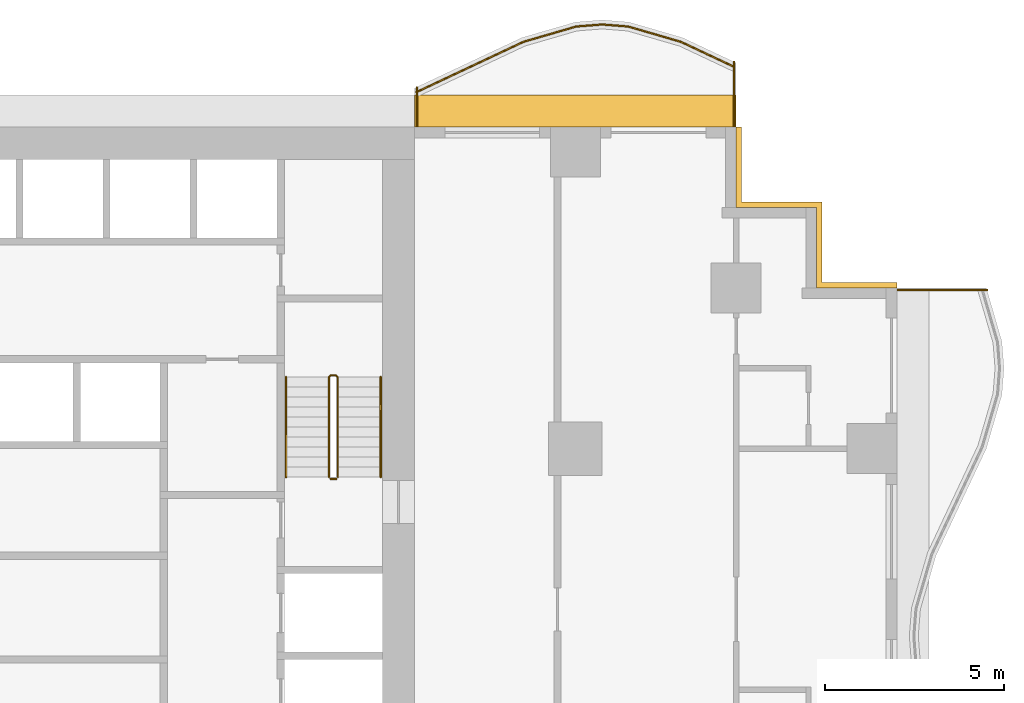
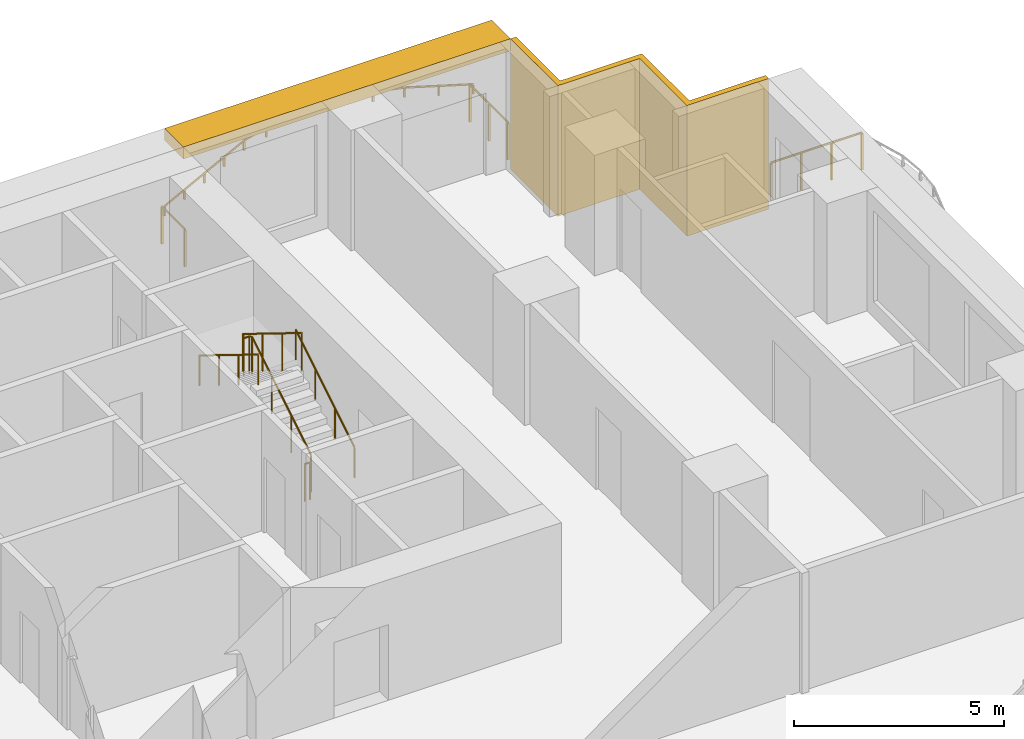
# One storey, part 14 of 14: 8 railings, 2 shading devices.
"""IFC4 building model written with IfcOpenShell, lengths in metres."""

from ifc_helpers import new_model, si_unit, direction, frame, origin, origin_2d, place, context, subcontext, project, spatial, polyline, rectangle, circle, outline, extrude, material, layer, layer_set, type_object, element, save


model = new_model("IFC4")

# Units and contexts
model_context = context("Model", 3, precision=1e-05, world=origin(), true_north=direction((0.0, 1.0)))
body_context = subcontext(model_context, "Body", "Model", "MODEL_VIEW")
ifc_project = project(units=[si_unit("LENGTHUNIT", "METRE"), si_unit("AREAUNIT", "SQUARE_METRE"), si_unit("VOLUMEUNIT", "CUBIC_METRE"), si_unit("PLANEANGLEUNIT", "RADIAN"), si_unit("MASSUNIT", "GRAM", prefix="KILO")], contexts=[model_context])

# Site, building, storey
site_placement = place(None, origin())
site = spatial("IfcSite", under=ifc_project, at=site_placement, CompositionType="ELEMENT")
building_placement = place(site_placement, origin())
building = spatial("IfcBuilding", under=site, at=building_placement, Name="Orbiselva Terraces", CompositionType="ELEMENT")
storey_placement = place(building_placement, frame((0.0, 0.0, 45.4)))
storey = spatial("IfcBuildingStorey", under=building, at=storey_placement, Name="L11", CompositionType="ELEMENT", Elevation=45.4)

# Railings
ifc_material_1 = material(Name="Stainless steel", Category="steel")
railing_type_1 = type_object("IfcRailingType", Name="CORE-GUARD-1100", PredefinedType="GUARDRAIL", material=ifc_material_1)
railing_1_placement = place(storey_placement, frame((11.35, 12.7, 0.172727)))
element("IfcRailing", 1, at=railing_1_placement, inside=storey, type_object=railing_type_1, Name="L11 S2 stair guard 1", PredefinedType="GUARDRAIL", context=body_context, shape_type="SweptSolid", body=[
    extrude(circle(Radius=0.024, at=origin_2d()), frame((0.0, 0.0, 1.081), z_axis=(0.0, 0.851088519012, 0.52502222125), x_axis=(-1.0, 0.0, 0.0)), (0.0, 0.0, 1.0), 3.289905),
    extrude(circle(Radius=0.024, at=origin_2d()), frame((0.0, 2.8, 2.808273), z_axis=(-0.707106781187, 0.707106781187, 0.0), x_axis=(-0.707106781187, -0.707106781187, 0.0)), (0.0, 0.0, 1.0), 0.070711),
    extrude(circle(Radius=0.024, at=origin_2d()), frame((-0.05, 2.85, 2.808273), z_axis=(-1.0, 0.0, 0.0), x_axis=(0.0, -1.0, 0.0)), (0.0, 0.0, 1.0), 0.15),
    extrude(circle(Radius=0.024, at=origin_2d()), frame((-0.2, 2.85, 2.808273), z_axis=(-0.267894925557, -0.267894925557, 0.925453736133), x_axis=(0.707106781187, -0.707106781187, 0.0)), (0.0, 0.0, 1.0), 0.18664),
    extrude(circle(Radius=0.024, at=origin_2d()), frame((-0.25, 2.8, 2.981), z_axis=(0.0, -0.851088519012, 0.52502222125), x_axis=(1.0, 0.0, 0.0)), (0.0, 0.0, 1.0), 3.289905),
    extrude(circle(Radius=0.021, at=origin_2d()), origin(), (0.0, 0.0, 1.0), 1.057),
    extrude(circle(Radius=0.021, at=origin_2d()), frame((0.0, 0.933333, 0.575758)), (0.0, 0.0, 1.0), 1.057),
    extrude(circle(Radius=0.021, at=origin_2d()), frame((0.0, 1.866667, 1.151515)), (0.0, 0.0, 1.0), 1.057),
    extrude(circle(Radius=0.021, at=origin_2d()), frame((0.0, 2.8, 1.727273)), (0.0, 0.0, 1.0), 1.057),
    extrude(circle(Radius=0.021, at=origin_2d()), frame((-0.05, 2.85, 1.727273)), (0.0, 0.0, 1.0), 1.057),
    extrude(circle(Radius=0.021, at=origin_2d()), frame((-0.2, 2.85, 1.727273)), (0.0, 0.0, 1.0), 1.057),
    extrude(circle(Radius=0.021, at=origin_2d()), frame((-0.25, 2.8, 1.9)), (0.0, 0.0, 1.0), 1.057),
    extrude(circle(Radius=0.021, at=origin_2d()), frame((-0.25, 1.866667, 2.475758)), (0.0, 0.0, 1.0), 1.057),
    extrude(circle(Radius=0.021, at=origin_2d()), frame((-0.25, 0.933333, 3.051515)), (0.0, 0.0, 1.0), 1.057),
    extrude(circle(Radius=0.021, at=origin_2d()), frame((-0.25, 0.0, 3.627273)), (0.0, 0.0, 1.0), 1.057),
])
railing_2_placement = place(storey_placement, frame((11.3, 12.65, 0.0)))
element("IfcRailing", 2, at=railing_2_placement, inside=storey, type_object=railing_type_1, Name="L11 S2 stair guard 2", PredefinedType="GUARDRAIL", context=body_context, shape_type="SweptSolid", body=[
    extrude(circle(Radius=0.024, at=origin_2d()), frame((0.0, 0.0, 1.081), z_axis=(-1.0, 0.0, 0.0), x_axis=(0.0, -1.0, 0.0)), (0.0, 0.0, 1.0), 0.15),
    extrude(circle(Radius=0.021, at=origin_2d()), origin(), (0.0, 0.0, 1.0), 1.057),
    extrude(circle(Radius=0.021, at=origin_2d()), frame((-0.15, 0.0, 0.0)), (0.0, 0.0, 1.0), 1.057),
])
railing_type_2 = type_object("IfcRailingType", Name="CORE-HANDRAIL-900", PredefinedType="HANDRAIL", material=ifc_material_1)
railing_3_placement = place(storey_placement, frame((12.55, 12.7, 0.172727)))
element("IfcRailing", 3, at=railing_3_placement, inside=storey, type_object=railing_type_2, Name="L11 S2 stair handrail 1", PredefinedType="HANDRAIL", context=body_context, shape_type="SweptSolid", body=[
    extrude(circle(Radius=0.024, at=origin_2d()), frame((0.0, 0.0, 0.876), z_axis=(0.0, 0.851088519012, 0.52502222125), x_axis=(-1.0, 0.0, 0.0)), (0.0, 0.0, 1.0), 3.289905),
    extrude(circle(Radius=0.021, at=origin_2d()), origin(), (0.0, 0.0, 1.0), 0.852),
    extrude(circle(Radius=0.021, at=origin_2d()), frame((0.0, 0.933333, 0.575758)), (0.0, 0.0, 1.0), 0.852),
    extrude(circle(Radius=0.021, at=origin_2d()), frame((0.0, 1.866667, 1.151515)), (0.0, 0.0, 1.0), 0.852),
    extrude(circle(Radius=0.021, at=origin_2d()), frame((0.0, 2.8, 1.727273)), (0.0, 0.0, 1.0), 0.852),
])
railing_4_placement = place(storey_placement, frame((9.9, 15.5, 2.072727)))
element("IfcRailing", 4, at=railing_4_placement, inside=storey, type_object=railing_type_2, Name="L11 S2 stair handrail 2", PredefinedType="HANDRAIL", context=body_context, shape_type="SweptSolid", body=[
    extrude(circle(Radius=0.024, at=origin_2d()), frame((0.0, 0.0, 0.876), z_axis=(0.0, -0.851088519012, 0.52502222125), x_axis=(1.0, 0.0, 0.0)), (0.0, 0.0, 1.0), 3.289905),
    extrude(circle(Radius=0.021, at=origin_2d()), origin(), (0.0, 0.0, 1.0), 0.852),
    extrude(circle(Radius=0.021, at=origin_2d()), frame((0.0, -0.933333, 0.575758)), (0.0, 0.0, 1.0), 0.852),
    extrude(circle(Radius=0.021, at=origin_2d()), frame((0.0, -1.866667, 1.151515)), (0.0, 0.0, 1.0), 0.852),
    extrude(circle(Radius=0.021, at=origin_2d()), frame((0.0, -2.8, 1.727273)), (0.0, 0.0, 1.0), 0.852),
])
ifc_material_2 = material(Name="Bonded two-ply safety glass balustrade, stainless steel posts", Category="steel")
railing_type_3 = type_object("IfcRailingType", Name="ENV-BALUSTRADE-1200", PredefinedType="BALUSTRADE", material=ifc_material_2)
railing_5_placement = place(storey_placement, frame((22.446809, 24.186882, 0.9)))
element("IfcRailing", 5, at=railing_5_placement, inside=storey, type_object=railing_type_3, Name="Balcony balustrade L11 NE", PredefinedType="BALUSTRADE", context=body_context, shape_type="SweptSolid", body=[
    extrude(outline(polyline([(0.028868, 0.0), (0.014434, 0.025), (-0.014434, 0.025), (-0.028868, 0.0), (-0.014434, -0.025), (0.014434, -0.025), (0.028868, 0.0)])), frame((0.0, 0.0, 0.275), z_axis=(-0.904944359461, 0.425529912322, 0.0), x_axis=(-0.425529912322, -0.904944359461, 0.0)), (0.0, 0.0, 1.0), 1.647746),
    extrude(outline(polyline([(0.028868, 0.0), (0.014434, 0.025), (-0.014434, 0.025), (-0.028868, 0.0), (-0.014434, -0.025), (0.014434, -0.025), (0.028868, 0.0)])), frame((-1.491118, 0.701165, 0.275), z_axis=(-0.960270317007, 0.279071528957, 0.0), x_axis=(-0.279071528957, -0.960270317007, 0.0)), (0.0, 0.0, 1.0), 1.539408),
    extrude(outline(polyline([(0.028868, 0.0), (0.014434, 0.025), (-0.014434, 0.025), (-0.028868, 0.0), (-0.014434, -0.025), (0.014434, -0.025), (0.028868, 0.0)])), frame((-2.969366, 1.13077, 0.275), z_axis=(-0.996947916106, 0.078069536776, 0.0), x_axis=(-0.078069536776, -0.996947916106, 0.0)), (0.0, 0.0, 1.0), 0.72967),
    extrude(outline(polyline([(0.028868, 0.0), (0.014434, 0.025), (-0.014434, 0.025), (-0.028868, 0.0), (-0.014434, -0.025), (0.014434, -0.025), (0.028868, 0.0)])), frame((-3.696809, 1.187735, 0.275), z_axis=(-0.996947916106, -0.078069536776, 0.0), x_axis=(0.078069536776, -0.996947916106, 0.0)), (0.0, 0.0, 1.0), 0.72967),
    extrude(outline(polyline([(0.028868, 0.0), (0.014434, 0.025), (-0.014434, 0.025), (-0.028868, 0.0), (-0.014434, -0.025), (0.014434, -0.025), (0.028868, 0.0)])), frame((-4.424252, 1.13077, 0.275), z_axis=(-0.960270317007, -0.279071528957, 0.0), x_axis=(0.279071528957, -0.960270317007, 0.0)), (0.0, 0.0, 1.0), 1.539408),
    extrude(outline(polyline([(0.028868, 0.0), (0.014434, 0.025), (-0.014434, 0.025), (-0.028868, 0.0), (-0.014434, -0.025), (0.014434, -0.025), (0.028868, 0.0)])), frame((-5.9025, 0.701165, 0.275), z_axis=(-0.904944359461, -0.425529912322, 0.0), x_axis=(0.425529912322, -0.904944359461, 0.0)), (0.0, 0.0, 1.0), 1.647746),
    extrude(outline(polyline([(0.028868, 0.0), (0.014434, 0.025), (-0.014434, 0.025), (-0.028868, 0.0), (-0.014434, -0.025), (0.014434, -0.025), (0.028868, 0.0)])), frame((-7.393618, 0.0, 0.275), z_axis=(-0.904944257823, -0.425530128467, 0.0), x_axis=(0.425530128467, -0.904944257823, 0.0)), (0.0, 0.0, 1.0), 1.657561),
    extrude(rectangle(XDim=0.05, YDim=0.05, at=origin_2d()), origin(), (0.0, 0.0, 1.0), 0.25),
    extrude(rectangle(XDim=0.05, YDim=0.05, at=origin_2d()), frame((-0.745559, 0.350582, 0.0)), (0.0, 0.0, 1.0), 0.25),
    extrude(rectangle(XDim=0.05, YDim=0.05, at=origin_2d()), frame((-1.491118, 0.701165, 0.0)), (0.0, 0.0, 1.0), 0.25),
    extrude(rectangle(XDim=0.05, YDim=0.05, at=origin_2d()), frame((-2.230242, 0.915967, 0.0)), (0.0, 0.0, 1.0), 0.25),
    extrude(rectangle(XDim=0.05, YDim=0.05, at=origin_2d()), frame((-2.969366, 1.13077, 0.0)), (0.0, 0.0, 1.0), 0.25),
    extrude(rectangle(XDim=0.05, YDim=0.05, at=origin_2d()), frame((-3.696809, 1.187735, 0.0)), (0.0, 0.0, 1.0), 0.25),
    extrude(rectangle(XDim=0.05, YDim=0.05, at=origin_2d()), frame((-4.424252, 1.13077, 0.0)), (0.0, 0.0, 1.0), 0.25),
    extrude(rectangle(XDim=0.05, YDim=0.05, at=origin_2d()), frame((-5.163376, 0.915967, 0.0)), (0.0, 0.0, 1.0), 0.25),
    extrude(rectangle(XDim=0.05, YDim=0.05, at=origin_2d()), frame((-5.9025, 0.701165, 0.0)), (0.0, 0.0, 1.0), 0.25),
    extrude(rectangle(XDim=0.05, YDim=0.05, at=origin_2d()), frame((-6.648059, 0.350582, 0.0)), (0.0, 0.0, 1.0), 0.25),
    extrude(rectangle(XDim=0.05, YDim=0.05, at=origin_2d()), frame((-7.393618, 0.0, 0.0)), (0.0, 0.0, 1.0), 0.25),
    extrude(rectangle(XDim=0.05, YDim=0.05, at=origin_2d()), frame((-8.143618, -0.352671, 0.0)), (0.0, 0.0, 1.0), 0.25),
    extrude(rectangle(XDim=0.05, YDim=0.05, at=origin_2d()), frame((-8.893618, -0.705342, 0.0)), (0.0, 0.0, 1.0), 0.25),
])
ifc_material_3 = material(Name="Stainless steel rail and posts", Category="steel")
railing_type_4 = type_object("IfcRailingType", Name="ENV-GUARD-1105", PredefinedType="BALUSTRADE", material=ifc_material_3)
railing_6_placement = place(storey_placement, frame((29.529516, 17.94, 0.0)))
element("IfcRailing", 6, at=railing_6_placement, inside=storey, type_object=railing_type_4, Name="Balcony end guard L11 E", PredefinedType="BALUSTRADE", context=body_context, shape_type="SweptSolid", body=[
    extrude(outline(polyline([(0.028868, 0.0), (0.014434, 0.025), (-0.014434, 0.025), (-0.028868, 0.0), (-0.014434, -0.025), (0.014434, -0.025), (0.028868, 0.0)])), frame((0.0, 0.0, 1.08), z_axis=(-1.0, 0.0, 0.0), x_axis=(0.0, -1.0, 0.0)), (0.0, 0.0, 1.0), 2.504516),
    extrude(rectangle(XDim=0.05, YDim=0.05, at=origin_2d()), origin(), (0.0, 0.0, 1.0), 1.055),
    extrude(rectangle(XDim=0.05, YDim=0.05, at=origin_2d()), frame((-0.834839, 0.0, 0.0)), (0.0, 0.0, 1.0), 1.055),
    extrude(rectangle(XDim=0.05, YDim=0.05, at=origin_2d()), frame((-1.669677, 0.0, 0.0)), (0.0, 0.0, 1.0), 1.055),
    extrude(rectangle(XDim=0.05, YDim=0.05, at=origin_2d()), frame((-2.504516, 0.0, 0.0)), (0.0, 0.0, 1.0), 1.055),
])
railing_7_placement = place(storey_placement, frame((22.44, 24.330156, 0.0)))
element("IfcRailing", 7, at=railing_7_placement, inside=storey, type_object=railing_type_4, Name="Balcony end guard L11 NE", PredefinedType="BALUSTRADE", context=body_context, shape_type="SweptSolid", body=[
    extrude(outline(polyline([(0.028868, 0.0), (0.014434, 0.025), (-0.014434, 0.025), (-0.028868, 0.0), (-0.014434, -0.025), (0.014434, -0.025), (0.028868, 0.0)])), frame((0.0, 0.0, 1.08), z_axis=(0.0, -1.0, 0.0), x_axis=(1.0, 0.0, 0.0)), (0.0, 0.0, 1.0), 1.805156),
    extrude(rectangle(XDim=0.05, YDim=0.05, at=origin_2d()), origin(), (0.0, 0.0, 1.0), 1.055),
    extrude(rectangle(XDim=0.05, YDim=0.05, at=origin_2d()), frame((0.0, -0.902578, 0.0)), (0.0, 0.0, 1.0), 1.055),
    extrude(rectangle(XDim=0.05, YDim=0.05, at=origin_2d()), frame((0.0, -1.805156, 0.0)), (0.0, 0.0, 1.0), 1.055),
])
railing_8_placement = place(storey_placement, frame((13.56, 23.619277, 0.0)))
element("IfcRailing", 8, at=railing_8_placement, inside=storey, type_object=railing_type_4, Name="Balcony end guard L11 NE", PredefinedType="BALUSTRADE", context=body_context, shape_type="SweptSolid", body=[
    extrude(outline(polyline([(0.028868, 0.0), (0.014434, 0.025), (-0.014434, 0.025), (-0.028868, 0.0), (-0.014434, -0.025), (0.014434, -0.025), (0.028868, 0.0)])), frame((0.0, 0.0, 1.08), z_axis=(0.0, -1.0, 0.0), x_axis=(1.0, 0.0, 0.0)), (0.0, 0.0, 1.0), 1.094277),
    extrude(rectangle(XDim=0.05, YDim=0.05, at=origin_2d()), origin(), (0.0, 0.0, 1.0), 1.055),
    extrude(rectangle(XDim=0.05, YDim=0.05, at=origin_2d()), frame((0.0, -1.094277, 0.0)), (0.0, 0.0, 1.0), 1.055),
])

# Shading devices
ifc_material_4 = material(Name="Terracotta louvre screen", Category="masonry")
ifc_layer_1 = layer(ifc_material_4, 0.15)
ifc_layer_set_1 = layer_set([ifc_layer_1], Name="Terracotta louvre screen")
shading_device_type_1 = type_object("IfcShadingDeviceType", Name="ENV-SCREEN-150", PredefinedType="USERDEFINED", material=ifc_layer_set_1)
shading_device_1_placement = place(storey_placement, frame((0.0, 0.0, -0.3)))
element("IfcShadingDevice", 9, at=shading_device_1_placement, inside=storey, type_object=shading_device_type_1, Name="Louvre screen L11 NE", ObjectType="SCREEN", PredefinedType="USERDEFINED", context=body_context, shape_type="SweptSolid", body=[
    extrude(outline(polyline([(27.0, 18.15), (24.9, 18.15), (24.9, 20.4), (22.65, 20.4), (22.65, 22.5), (22.5, 22.5), (22.5, 20.25), (24.75, 20.25), (24.75, 18.0), (27.0, 18.0), (27.0, 18.15)])), origin(), (0.0, 0.0, 1.0), 3.8),
])
ifc_material_5 = material(Name="Terracotta baguette sunshade", Category="masonry")
ifc_layer_2 = layer(ifc_material_5, 0.35)
ifc_layer_set_2 = layer_set([ifc_layer_2], Name="Terracotta baguette sunshade")
shading_device_type_2 = type_object("IfcShadingDeviceType", Name="ENV-SUNSHADE-900x350", PredefinedType="USERDEFINED", material=ifc_layer_set_2)
shading_device_2_placement = place(storey_placement, frame((0.0, 0.0, 3.15)))
element("IfcShadingDevice", 10, at=shading_device_2_placement, inside=storey, type_object=shading_device_type_2, Name="Sunshade band L11 NE", ObjectType="SUNSHADE", PredefinedType="USERDEFINED", context=body_context, shape_type="SweptSolid", body=[
    extrude(outline(polyline([(22.5, 23.4), (13.5, 23.4), (13.5, 22.5), (22.5, 22.5), (22.5, 23.4)])), origin(), (0.0, 0.0, 1.0), 0.35),
])

save(model, "model.ifc")
